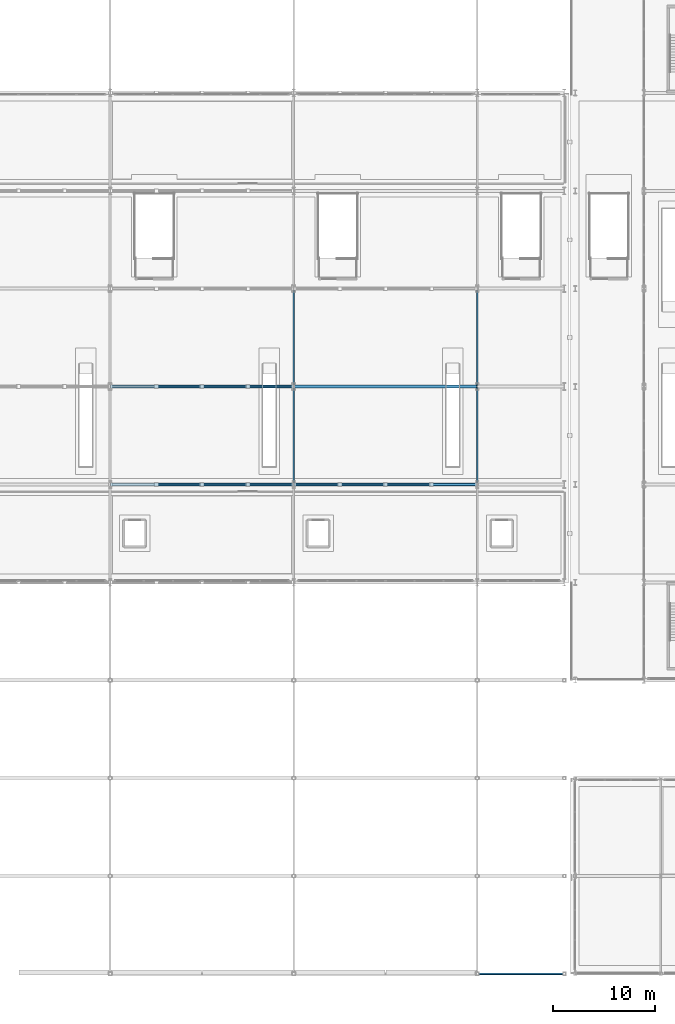
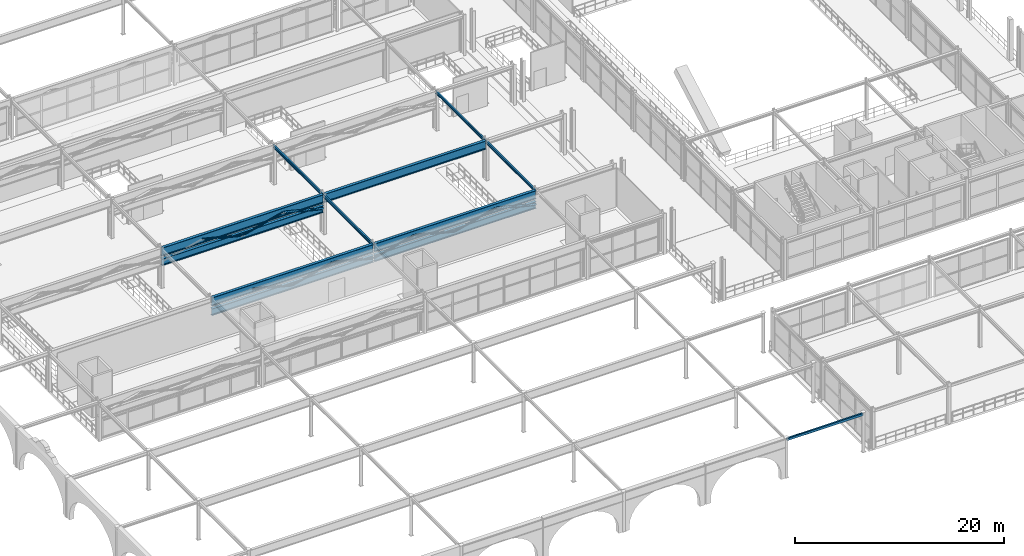
# One storey, part 29 of 125: 13 members, 9 beams.
"""IFC4 building model written with IfcOpenShell, lengths in metres."""

from ifc_helpers import new_model, si_unit, direction, frame, origin, origin_2d, place, context, subcontext, project, spatial, hollow_rectangle, hollow_circle, i_section, extrude, material, material_profile, profile_set, type_object, element, save


model = new_model("IFC4")

# Units and contexts
model_context = context("Model", 3, precision=1e-05, world=origin(), true_north=direction((0.0, 1.0)))
body_context = subcontext(model_context, "Body", "Model", "MODEL_VIEW")
ifc_project = project(units=[si_unit("LENGTHUNIT", "METRE"), si_unit("AREAUNIT", "SQUARE_METRE"), si_unit("VOLUMEUNIT", "CUBIC_METRE"), si_unit("PLANEANGLEUNIT", "RADIAN"), si_unit("MASSUNIT", "GRAM", prefix="KILO")], contexts=[model_context])

# Site, building, storey
site_placement = place(None, origin())
site = spatial("IfcSite", under=ifc_project, at=site_placement, CompositionType="ELEMENT")
building_placement = place(site_placement, origin())
building = spatial("IfcBuilding", under=site, at=building_placement, Name="Myrtia Square Station", CompositionType="ELEMENT")
storey_placement = place(building_placement, frame((0.0, 0.0, 6.0)))
storey = spatial("IfcBuildingStorey", under=building, at=storey_placement, Name="L01", CompositionType="ELEMENT", Elevation=6.0)

# Beams
ifc_material = material(Name="Steel S355", Category="steel")
ifc_material_profile_1 = material_profile(ifc_material, i_section(OverallWidth=0.159912109375, OverallDepth=0.330078125, WebThickness=0.007568359375, FlangeThickness=0.011474609375, FilletRadius=0.01806640625, at=origin_2d()), Name="IPE 330")
ifc_profile_set_1 = profile_set([ifc_material_profile_1], Name="Steel S355")
beam_type_1 = type_object("IfcBeamType", Name="BM-IPE330", PredefinedType="BEAM", material=ifc_profile_set_1)
for number, where, z_axis, x_axis, name in (
    (1, (63.0, 48.050048828125, 4.389892578125), (0.0, 1.0, 0.0), (-1.0, 0.0, 0.0), "Structural girder BMY-L01-0526"),
    (2, (63.0, 57.64990234375, 4.389892578125), (0.0, 1.0, 0.0), (-1.0, 0.0, 0.0), "Structural girder BMY-L01-0527"),
):
    element("IfcBeam", number, at=place(storey_placement, frame(where, z_axis=z_axis, x_axis=x_axis)), inside=storey, type_object=beam_type_1, Name=name, PredefinedType="BEAM", context=body_context, shape_type="SweptSolid", body=[
        extrude(i_section(OverallWidth=0.159912109375, OverallDepth=0.330078125, WebThickness=0.007568359375, FlangeThickness=0.011474609375, FilletRadius=0.01806640625, at=origin_2d()), origin(), (0.0, 0.0, 1.0), 9.5),
    ])
ifc_material_profile_2 = material_profile(ifc_material, i_section(OverallWidth=0.169921875, OverallDepth=0.360107421875, WebThickness=0.008056640625, FlangeThickness=0.0126953125, FilletRadius=0.01806640625, at=origin_2d()), Name="IPE 360")
ifc_profile_set_2 = profile_set([ifc_material_profile_2], Name="Steel S355")
beam_type_2 = type_object("IfcBeamType", Name="BM-IPE360", PredefinedType="BEAM", material=ifc_profile_set_2)
for number, where, z_axis, x_axis, name in (
    (3, (45.0, 48.050048828125, 4.375), (0.0, 1.0, 0.0), (-1.0, 0.0, 0.0), "Structural girder BMY-L01-0513"),
    (4, (45.0, 57.64990234375, 4.375), (0.0, 1.0, 0.0), (-1.0, 0.0, 0.0), "Structural girder BMY-L01-0514"),
):
    element("IfcBeam", number, at=place(storey_placement, frame(where, z_axis=z_axis, x_axis=x_axis)), inside=storey, type_object=beam_type_2, Name=name, PredefinedType="BEAM", context=body_context, shape_type="SweptSolid", body=[
        extrude(i_section(OverallWidth=0.169921875, OverallDepth=0.360107421875, WebThickness=0.008056640625, FlangeThickness=0.0126953125, FilletRadius=0.01806640625, at=origin_2d()), origin(), (0.0, 0.0, 1.0), 9.5),
    ])

# Members
ifc_material_profile_3 = material_profile(ifc_material, hollow_circle(Radius=0.109619140625, WallThickness=0.012451171875, at=origin_2d()), Name="CHS 219.1x12.5")
ifc_profile_set_3 = profile_set([ifc_material_profile_3], Name="Steel S355")
member_type_1 = type_object("IfcMemberType", Name="BRC-CHS219", PredefinedType="BRACE", material=ifc_profile_set_3)
for number, where, z_axis, x_axis, name in (
    (5, (31.5400390625, 48.0, 3.949951171875), (0.97040677758, 0.0, -0.241476056838), (0.0, 1.0, 0.0), "Warren roof truss 02 diagonal 2"),
    (6, (36.0400390625, 48.0, 2.85009765625), (0.97040677758, 0.0, 0.241476056838), (0.0, 1.0, 0.0), "Warren roof truss 02 diagonal 3"),
    (7, (40.5400390625, 48.0, 3.949951171875), (0.97040677758, 0.0, -0.241476056838), (0.0, 1.0, 0.0), "Warren roof truss 02 diagonal 4"),
    (8, (45.0400390625, 48.0, 2.85009765625), (0.97040677758, 0.0, 0.241476056838), (0.0, 1.0, 0.0), "Warren roof truss 02 diagonal 5"),
    (9, (49.5400390625, 48.0, 3.949951171875), (0.97040677758, 0.0, -0.241476056838), (0.0, 1.0, 0.0), "Warren roof truss 02 diagonal 6"),
    (10, (54.0400390625, 48.0, 2.85009765625), (0.97040677758, 0.0, 0.241476056838), (0.0, 1.0, 0.0), "Warren roof truss 02 diagonal 7"),
    (11, (31.5400390625, 57.60009765625, 3.949951171875), (0.97040677758, 0.0, -0.241476056838), (0.0, 1.0, 0.0), "Warren roof truss 03 diagonal 6"),
    (12, (36.0400390625, 57.60009765625, 2.85009765625), (0.97040677758, 0.0, 0.241476056838), (0.0, 1.0, 0.0), "Warren roof truss 03 diagonal 7"),
):
    element("IfcMember", number, at=place(storey_placement, frame(where, z_axis=z_axis, x_axis=x_axis)), inside=storey, type_object=member_type_1, Name=name, PredefinedType="BRACE", context=body_context, shape_type="SweptSolid", body=[
        extrude(hollow_circle(Radius=0.109619140625, WallThickness=0.012451171875, at=origin_2d()), origin(), (0.0, 0.0, 1.0), 4.5546875),
    ])
ifc_material_profile_4 = material_profile(ifc_material, hollow_circle(Radius=0.136474609375, WallThickness=0.01611328125, at=origin_2d()), Name="CHS 273x16")
ifc_profile_set_4 = profile_set([ifc_material_profile_4], Name="Steel S355")
member_type_2 = type_object("IfcMemberType", Name="BRC-CHS273", PredefinedType="BRACE", material=ifc_profile_set_4)
for number, where, z_axis, x_axis, name in (
    (13, (58.5400390625, 48.0, 3.949951171875), (0.97040677758, 0.0, -0.241476056838), (0.0, 1.0, 0.0), "Warren roof truss 02 diagonal 8"),
    (14, (40.5400390625, 57.60009765625, 3.949951171875), (0.97040677758, 0.0, -0.241476056838), (0.0, 1.0, 0.0), "Warren roof truss 03 diagonal 8"),
):
    element("IfcMember", number, at=place(storey_placement, frame(where, z_axis=z_axis, x_axis=x_axis)), inside=storey, type_object=member_type_2, Name=name, PredefinedType="BRACE", context=body_context, shape_type="SweptSolid", body=[
        extrude(hollow_circle(Radius=0.136474609375, WallThickness=0.01611328125, at=origin_2d()), origin(), (0.0, 0.0, 1.0), 4.5546875),
    ])
ifc_material_profile_5 = material_profile(ifc_material, i_section(OverallWidth=0.300048828125, OverallDepth=0.800048828125, WebThickness=0.017578125, FlangeThickness=0.032958984375, FilletRadius=0.030029296875, at=origin_2d()), Name="HEB 800")
ifc_profile_set_5 = profile_set([ifc_material_profile_5], Name="Steel S355")
member_type_3 = type_object("IfcMemberType", Name="CHD-HEB800", PredefinedType="CHORD", material=ifc_profile_set_5)
for number, where, z_axis, x_axis, name in (
    (15, (27.050048828125, 48.0, 2.85009765625), (1.0, 0.0, 0.0), (0.0, 1.0, 0.0), "Warren roof truss 02 bottom chord 1"),
    (16, (45.050048828125, 48.0, 2.85009765625), (1.0, 0.0, 0.0), (0.0, 1.0, 0.0), "Warren roof truss 02 bottom chord 2"),
    (17, (27.050048828125, 57.60009765625, 2.85009765625), (1.0, 0.0, 0.0), (0.0, 1.0, 0.0), "Warren roof truss 03 bottom chord 2"),
):
    element("IfcMember", number, at=place(storey_placement, frame(where, z_axis=z_axis, x_axis=x_axis)), inside=storey, type_object=member_type_3, Name=name, PredefinedType="CHORD", context=body_context, shape_type="SweptSolid", body=[
        extrude(i_section(OverallWidth=0.300048828125, OverallDepth=0.800048828125, WebThickness=0.017578125, FlangeThickness=0.032958984375, FilletRadius=0.030029296875, at=origin_2d()), origin(), (0.0, 0.0, 1.0), 17.89990234375),
    ])

# Beams
ifc_material_profile_6 = material_profile(ifc_material, hollow_rectangle(XDim=0.199951171875, YDim=0.300048828125, WallThickness=0.01611328125, InnerFilletRadius=0.01611328125, OuterFilletRadius=0.031982421875, at=origin_2d()), Name="RHS 300x200x16")
ifc_profile_set_6 = profile_set([ifc_material_profile_6], Name="Steel S355")
beam_type_3 = type_object("IfcBeamType", Name="SPN-RHS300", PredefinedType="SPANDREL", material=ifc_profile_set_6)
beam_placement = place(storey_placement, frame((63.050048828125, 0.0, 4.405029296875), z_axis=(1.0, 0.0, 0.0), x_axis=(0.0, 1.0, 0.0)))
element("IfcBeam", 18, at=beam_placement, inside=storey, type_object=beam_type_3, Name="Structural girder SPN-L01-0138", PredefinedType="SPANDREL", context=body_context, shape_type="SweptSolid", body=[
    extrude(hollow_rectangle(XDim=0.199951171875, YDim=0.300048828125, WallThickness=0.01611328125, InnerFilletRadius=0.01611328125, OuterFilletRadius=0.031982421875, at=origin_2d()), origin(), (0.0, 0.0, 1.0), 8.449951171875),
])
ifc_material_profile_7 = material_profile(ifc_material, i_section(OverallWidth=0.300048828125, OverallDepth=1.0, WebThickness=0.01904296875, FlangeThickness=0.035888671875, FilletRadius=0.030029296875, at=origin_2d()), Name="HEB 1000")
ifc_profile_set_7 = profile_set([ifc_material_profile_7], Name="Steel S355")
beam_type_4 = type_object("IfcBeamType", Name="TG-HEB1000", PredefinedType="USERDEFINED", material=ifc_profile_set_7)
for number, where, z_axis, x_axis, name in (
    (19, (27.050048828125, 48.0, 4.054931640625), (1.0, 0.0, 0.0), (0.0, 1.0, 0.0), "Structural girder TG-L01-0113"),
    (20, (45.050048828125, 48.0, 4.054931640625), (1.0, 0.0, 0.0), (0.0, 1.0, 0.0), "Structural girder TG-L01-0114"),
    (21, (27.050048828125, 57.60009765625, 4.054931640625), (1.0, 0.0, 0.0), (0.0, 1.0, 0.0), "Structural girder TG-L01-0116"),
    (22, (45.050048828125, 57.60009765625, 4.054931640625), (1.0, 0.0, 0.0), (0.0, 1.0, 0.0), "Structural girder TG-L01-0117"),
):
    element("IfcBeam", number, at=place(storey_placement, frame(where, z_axis=z_axis, x_axis=x_axis)), inside=storey, type_object=beam_type_4, Name=name, ObjectType="TRANSFER GIRDER", PredefinedType="USERDEFINED", context=body_context, shape_type="SweptSolid", body=[
        extrude(i_section(OverallWidth=0.300048828125, OverallDepth=1.0, WebThickness=0.01904296875, FlangeThickness=0.035888671875, FilletRadius=0.030029296875, at=origin_2d()), origin(), (0.0, 0.0, 1.0), 17.89990234375),
    ])

save(model, "model.ifc")
